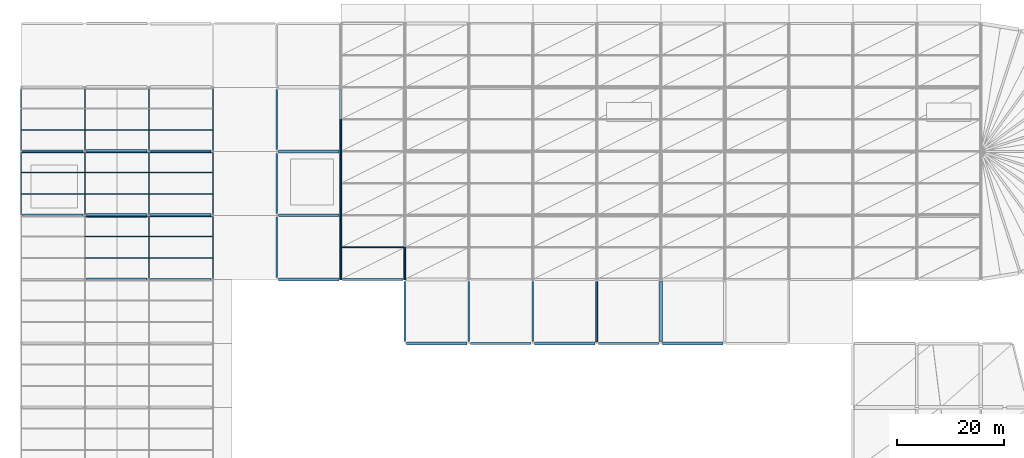
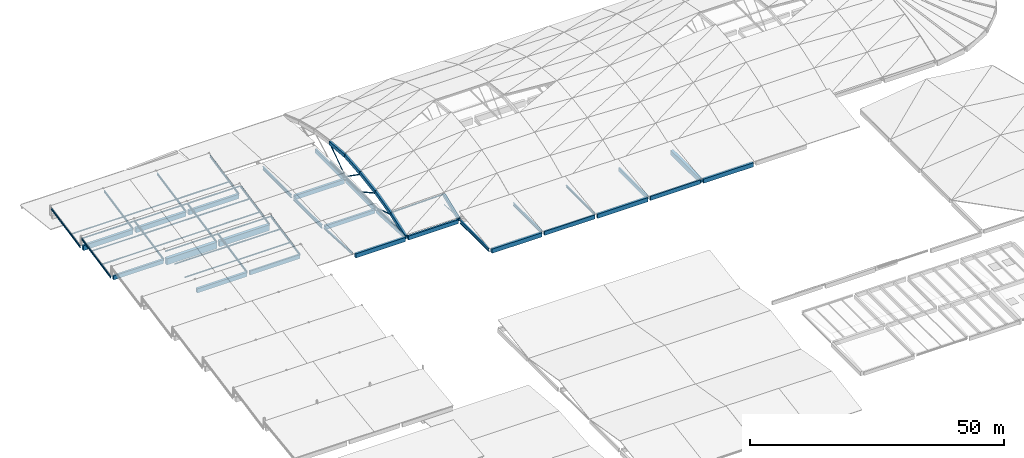
# One storey, part 9 of 23: 50 beams, 24 members.
"""IFC4 building model written with IfcOpenShell, lengths in metres."""

import ifcopenshell
import ifcopenshell.guid

model = None  # the IFC model being written
_history = None  # IfcOwnerHistory: only IFC2X3 demands one
_inside = {}  # id of a spatial element -> (the spatial element, [elements in it])
_under = {}  # id of a project, library or spatial element -> (it, [spatial elements below it])
_declared = {}  # id of a project -> (the project, [libraries it declares])
_typed = {}  # id of a type object -> (the type object, [elements of that type])
_made_of = {}  # id of a material, layer set ... -> (it, [elements and type objects made of it])


def new_model(schema):
    """Start an empty IFC model of exactly this schema.

    Asked for "IFC4X3", IfcOpenShell would pick the latest addendum, in which some entities
    have other attributes; the version numbers below select the first issue.
    IFC2X3 requires an IfcOwnerHistory on every rooted entity: one is made here for all.
    """
    global model, _history
    if schema == "IFC4X3":
        model = ifcopenshell.file(schema_version=(4, 3, 0, 0))
    else:
        model = ifcopenshell.file(schema=schema)
    _inside.clear()
    _under.clear()
    _declared.clear()
    _typed.clear()
    _made_of.clear()
    _history = None
    if model.schema == "IFC2X3":
        org = make("IfcOrganization", Name="unknown")
        user = make(
            "IfcPersonAndOrganization",
            ThePerson=make("IfcPerson", FamilyName="unknown"),
            TheOrganization=org,
        )
        app = make(
            "IfcApplication",
            ApplicationDeveloper=org,
            Version="unknown",
            ApplicationFullName="unknown",
            ApplicationIdentifier="unknown",
        )
        _history = make(
            "IfcOwnerHistory",
            OwningUser=user,
            OwningApplication=app,
            ChangeAction="ADDED",
            CreationDate=0,
        )
    return model


def make(cls, **values):
    """One entity of the class cls with the attributes given. An attribute that is None is left unset."""
    return model.create_entity(
        cls, **{name: value for name, value in values.items() if value is not None}
    )


def rooted(cls, **values):
    """An entity with a GlobalId (a new one), such as an element, a storey or a relation."""
    return make(cls, GlobalId=ifcopenshell.guid.new(), OwnerHistory=_history, **values)


def si_unit(unit_type, name, prefix=None):
    """IfcSIUnit, for example si_unit("LENGTHUNIT", "METRE", prefix="MILLI")."""
    return make("IfcSIUnit", UnitType=unit_type, Prefix=prefix, Name=name)


def assignment(units):
    """IfcUnitAssignment: the units of a project."""
    return None if units is None else make("IfcUnitAssignment", Units=units)


def point(xyz):
    """IfcCartesianPoint."""
    return None if xyz is None else make("IfcCartesianPoint", Coordinates=xyz)


def direction(xyz):
    """IfcDirection."""
    return None if xyz is None else make("IfcDirection", DirectionRatios=xyz)


def frame(location, z_axis=None, x_axis=None):
    """IfcAxis2Placement3D, a coordinate frame: its origin and axes. An axis left out is left unset."""
    return make(
        "IfcAxis2Placement3D",
        Location=point(location),
        Axis=direction(z_axis),
        RefDirection=direction(x_axis),
    )


def frame_2d(location, x_axis=None):
    """IfcAxis2Placement2D, a coordinate frame in the plane: its origin and x axis."""
    return make(
        "IfcAxis2Placement2D", Location=point(location), RefDirection=direction(x_axis)
    )


def origin():
    """The frame at (0, 0, 0) with its axes left unset."""
    return frame((0.0, 0.0, 0.0))


def origin_2d():
    """The frame at (0, 0) in the plane with its x axis left unset."""
    return frame_2d((0.0, 0.0))


def place(relative_to, where):
    """IfcLocalPlacement: puts the frame where relative to a parent placement (None: the world)."""
    return make(
        "IfcLocalPlacement", PlacementRelTo=relative_to, RelativePlacement=where
    )


def context(
    kind, dimensions, precision=None, world=None, true_north=None, identifier=None
):
    """IfcGeometricRepresentationContext, for example the 3D "Model" context."""
    return make(
        "IfcGeometricRepresentationContext",
        ContextIdentifier=identifier,
        ContextType=kind,
        CoordinateSpaceDimension=dimensions,
        Precision=precision,
        WorldCoordinateSystem=world,
        TrueNorth=true_north,
    )


def subcontext(parent, identifier, kind, view, scale=None):
    """IfcGeometricRepresentationSubContext, for example "Body" below "Model"."""
    return make(
        "IfcGeometricRepresentationSubContext",
        ContextIdentifier=identifier,
        ContextType=kind,
        ParentContext=parent,
        TargetScale=scale,
        TargetView=view,
    )


def project(units=None, contexts=None):
    """IfcProject with its units and contexts."""
    return rooted(
        "IfcProject",
        Name="project",
        RepresentationContexts=contexts,
        UnitsInContext=assignment(units),
    )


def spatial(cls, under=None, at=None, **own):
    """A site, building, storey or space (cls), placed at a placement, below another one or the project."""
    s = rooted(cls, ObjectPlacement=at, **own)
    if under is not None:
        _under.setdefault(under.id(), (under, []))[1].append(s)
    return s


def profile(cls, at=None, kind="AREA", **sizes):
    """A parametric profile (cls). Its sizes go by their IFC names, for example OverallWidth=200.0."""
    return make(cls, ProfileType=kind, Position=at, **sizes)


def rectangle(**sizes):
    """IfcRectangleProfileDef."""
    return profile("IfcRectangleProfileDef", **sizes)


def hollow_circle(**sizes):
    """IfcCircleHollowProfileDef."""
    return profile("IfcCircleHollowProfileDef", **sizes)


def i_section(**sizes):
    """IfcIShapeProfileDef."""
    return profile("IfcIShapeProfileDef", **sizes)


def extrude(swept, where, along, depth):
    """IfcExtrudedAreaSolid: the profile swept, set in the frame where, extruded along a direction by depth."""
    return make(
        "IfcExtrudedAreaSolid",
        SweptArea=swept,
        Position=where,
        ExtrudedDirection=direction(along),
        Depth=depth,
    )


def shape(context_of_items, identifier, shape_type, items):
    """IfcShapeRepresentation: the items that make up one representation, for example the "Body"."""
    return make(
        "IfcShapeRepresentation",
        ContextOfItems=context_of_items,
        RepresentationIdentifier=identifier,
        RepresentationType=shape_type,
        Items=items,
    )


def material(Name=None, Category=None):
    """IfcMaterial."""
    return make("IfcMaterial", Name=Name, Category=Category)


def material_profile(
    of_material, cross_section, Name=None, Category=None, Priority=None
):
    """IfcMaterialProfile: a cross section and its material."""
    return make(
        "IfcMaterialProfile",
        Name=Name,
        Material=of_material,
        Profile=cross_section,
        Priority=Priority,
        Category=Category,
    )


def profile_set(profiles, Name=None, composite=None):
    """IfcMaterialProfileSet."""
    return make(
        "IfcMaterialProfileSet",
        Name=Name,
        MaterialProfiles=profiles,
        CompositeProfile=composite,
    )


def made_of(thing, what):
    """Note that an element or type object is made of a material, layer set ...; save() writes the relation."""
    if what is not None:
        _made_of.setdefault(what.id(), (what, []))[1].append(thing)
    return thing


def type_object(cls, material=None, **own):
    """A type object (cls), such as IfcWallType, which elements share."""
    return made_of(rooted(cls, **own), material)


def element(
    cls,
    number,
    at=None,
    inside=None,
    cuts=None,
    type_object=None,
    material=None,
    context=None,
    identifier="Body",
    shape_type=None,
    held_by="IfcProductDefinitionShape",
    body=None,
    shapes=None,
    **own,
):
    """One element of the class cls, such as IfcWall. Its Tag is "e" and its number.

    at: its placement. inside: the storey or other place that contains it. cuts: it is an
    opening in that element (IfcRelVoidsElement). A single representation is given by context,
    identifier, shape_type and body (its items); several are given by shapes. held_by: the class
    of the entity that holds the representations. save() writes the other relations.
    """
    e = rooted(cls, Tag="e%d" % number, ObjectPlacement=at, **own)
    if body is not None:
        shapes = [shape(context, identifier, shape_type, body)]
    if shapes is not None:
        e.Representation = make(held_by, Representations=shapes)
    if inside is not None:
        _inside.setdefault(inside.id(), (inside, []))[1].append(e)
    if cuts is not None:
        rooted(
            "IfcRelVoidsElement", RelatingBuildingElement=cuts, RelatedOpeningElement=e
        )
    if type_object is not None:
        _typed.setdefault(type_object.id(), (type_object, []))[1].append(e)
    return made_of(e, material)


def aggregate(whole, parts):
    """IfcRelAggregates: a whole, such as a stair, and the parts it consists of."""
    return rooted("IfcRelAggregates", RelatingObject=whole, RelatedObjects=parts)


def save(model, path):
    """Write the relations noted so far, then the file.

    IfcRelAggregates (storeys below a building ...), IfcRelContainedInSpatialStructure (elements
    in a storey), IfcRelDefinesByType, IfcRelAssociatesMaterial and IfcRelDeclares: one each for
    every whole, place, type object, material and project.
    """
    for whole, parts in _under.values():
        aggregate(whole, parts)
    for where, things in _inside.values():
        rooted(
            "IfcRelContainedInSpatialStructure",
            RelatedElements=things,
            RelatingStructure=where,
        )
    for kind, things in _typed.values():
        rooted("IfcRelDefinesByType", RelatedObjects=things, RelatingType=kind)
    for what, things in _made_of.values():
        rooted("IfcRelAssociatesMaterial", RelatedObjects=things, RelatingMaterial=what)
    for by, libraries in _declared.values():
        rooted("IfcRelDeclares", RelatingContext=by, RelatedDefinitions=libraries)
    model.write(path)


model = new_model("IFC4")

# Units and contexts
model_context = context("Model", 3, precision=1e-05, world=origin(), true_north=direction((0.0, 1.0)))
body_context = subcontext(model_context, "Body", "Model", "MODEL_VIEW")
ifc_project = project(units=[si_unit("LENGTHUNIT", "METRE"), si_unit("AREAUNIT", "SQUARE_METRE"), si_unit("VOLUMEUNIT", "CUBIC_METRE"), si_unit("PLANEANGLEUNIT", "RADIAN"), si_unit("MASSUNIT", "GRAM", prefix="KILO")], contexts=[model_context])

# Site, building, storey
site_placement = place(None, origin())
site = spatial("IfcSite", under=ifc_project, at=site_placement, CompositionType="ELEMENT")
building_placement = place(site_placement, origin())
building = spatial("IfcBuilding", under=site, at=building_placement, Name="Kamomehara Wholesale Market", CompositionType="ELEMENT")
storey_placement = place(building_placement, frame((0.0, 0.0, 21.0)))
storey = spatial("IfcBuildingStorey", under=building, at=storey_placement, Name="RF", CompositionType="ELEMENT", Elevation=21.0)

# Beams
ifc_material_1 = material(Name="Precast concrete Fc45 (C40/50)", Category="concrete")
ifc_material_profile_1 = material_profile(ifc_material_1, rectangle(XDim=0.550048828125, YDim=1.050048828125, at=origin_2d()), Name="PC-GRD-550x1050")
ifc_profile_set_1 = profile_set([ifc_material_profile_1], Name="Precast concrete Fc45 (C40/50)")
beam_type_1 = type_object("IfcBeamType", Name="BM-PG1050", PredefinedType="T_BEAM", material=ifc_profile_set_1)
beam_1_placement = place(storey_placement, frame((48.360107421875, 132.0, -10.125), z_axis=(1.0, 0.0, 0.0), x_axis=(0.0, 1.0, 0.0)))
element("IfcBeam", 1, at=beam_1_placement, inside=storey, type_object=beam_type_1, Name="Beam PG-08 RF", PredefinedType="T_BEAM", context=body_context, shape_type="SweptSolid", body=[
    extrude(rectangle(XDim=0.550048828125, YDim=1.050048828125, at=origin_2d()), origin(), (0.0, 0.0, 1.0), 11.27978515625),
])
beam_2_placement = place(storey_placement, frame((24.340087890625, 132.0, -5.324951171875), z_axis=(1.0, 0.0, 0.0), x_axis=(0.0, 1.0, 0.0)))
element("IfcBeam", 2, at=beam_2_placement, inside=storey, type_object=beam_type_1, Name="Beam PG-08 RF", PredefinedType="T_BEAM", context=body_context, shape_type="SweptSolid", body=[
    extrude(rectangle(XDim=0.550048828125, YDim=1.050048828125, at=origin_2d()), origin(), (0.0, 0.0, 1.0), 11.31982421875),
])
ifc_material_2 = material(Name="Precast concrete Fc45 (C40/50)", Category="concrete")
ifc_material_profile_2 = material_profile(ifc_material_2, rectangle(XDim=0.60009765625, YDim=1.10009765625, at=origin_2d()), Name="PC-GRD-600x1100")
ifc_profile_set_2 = profile_set([ifc_material_profile_2], Name="Precast concrete Fc45 (C40/50)")
beam_type_2 = type_object("IfcBeamType", Name="BM-PG1100", PredefinedType="T_BEAM", material=ifc_profile_set_2)
beam_3_placement = place(storey_placement, frame((120.0, 96.31005859375, -9.550048828125), z_axis=(0.0, 1.0, 0.0), x_axis=(-1.0, 0.0, 0.0)))
element("IfcBeam", 3, at=beam_3_placement, inside=storey, type_object=beam_type_2, Name="Beam PG-07 RF", PredefinedType="T_BEAM", context=body_context, shape_type="SweptSolid", body=[
    extrude(rectangle(XDim=0.60009765625, YDim=1.10009765625, at=origin_2d()), origin(), (0.0, 0.0, 1.0), 11.239990234375),
])
beam_4_placement = place(storey_placement, frame((12.340087890625, 132.0, -5.35009765625), z_axis=(1.0, 0.0, 0.0), x_axis=(0.0, 1.0, 0.0)))
element("IfcBeam", 4, at=beam_4_placement, inside=storey, type_object=beam_type_2, Name="Beam PG-07 RF", PredefinedType="T_BEAM", context=body_context, shape_type="SweptSolid", body=[
    extrude(rectangle(XDim=0.60009765625, YDim=1.10009765625, at=origin_2d()), origin(), (0.0, 0.0, 1.0), 11.31982421875),
])
ifc_material_3 = material(Name="Precast concrete Fc45 (C40/50)", Category="concrete")
ifc_material_profile_3 = material_profile(ifc_material_3, rectangle(XDim=0.580078125, YDim=1.179931640625, at=origin_2d()), Name="PC-GRD-580x1180")
ifc_profile_set_3 = profile_set([ifc_material_profile_3], Name="Precast concrete Fc45 (C40/50)")
beam_type_3 = type_object("IfcBeamType", Name="BM-PG1180", PredefinedType="T_BEAM", material=ifc_profile_set_3)
beam_5_placement = place(storey_placement, frame((0.340087890625, 132.0, -5.389892578125), z_axis=(1.0, 0.0, 0.0), x_axis=(0.0, 1.0, 0.0)))
element("IfcBeam", 5, at=beam_5_placement, inside=storey, type_object=beam_type_3, Name="Beam PG-14 RF", PredefinedType="T_BEAM", context=body_context, shape_type="SweptSolid", body=[
    extrude(rectangle(XDim=0.580078125, YDim=1.179931640625, at=origin_2d()), origin(), (0.0, 0.0, 1.0), 11.31982421875),
])
ifc_material_4 = material(Name="Precast concrete Fc45 (C40/50)", Category="concrete")
ifc_material_profile_4 = material_profile(ifc_material_4, rectangle(XDim=0.679931640625, YDim=1.3798828125, at=origin_2d()), Name="PC-GRD-680x1380")
ifc_profile_set_4 = profile_set([ifc_material_profile_4], Name="Precast concrete Fc45 (C40/50)")
beam_type_4 = type_object("IfcBeamType", Name="BM-PG1380", PredefinedType="T_BEAM", material=ifc_profile_set_4)
beam_6_placement = place(storey_placement, frame((24.340087890625, 120.0, -5.489990234375), z_axis=(1.0, 0.0, 0.0), x_axis=(0.0, 1.0, 0.0)))
element("IfcBeam", 6, at=beam_6_placement, inside=storey, type_object=beam_type_4, Name="Beam PG-12 RF", PredefinedType="T_BEAM", context=body_context, shape_type="SweptSolid", body=[
    extrude(rectangle(XDim=0.679931640625, YDim=1.3798828125, at=origin_2d()), origin(), (0.0, 0.0, 1.0), 11.31982421875),
])
ifc_material_5 = material(Name="Precast concrete Fc45 (C40/50)", Category="concrete")
ifc_material_profile_5 = material_profile(ifc_material_5, rectangle(XDim=0.75, YDim=1.5, at=origin_2d()), Name="PC-GRD-750x1500")
ifc_profile_set_5 = profile_set([ifc_material_profile_5], Name="Precast concrete Fc45 (C40/50)")
beam_type_5 = type_object("IfcBeamType", Name="BM-PG1500", PredefinedType="T_BEAM", material=ifc_profile_set_5)
beam_7_placement = place(storey_placement, frame((12.340087890625, 120.0, -5.550048828125), z_axis=(1.0, 0.0, 0.0), x_axis=(0.0, 1.0, 0.0)))
element("IfcBeam", 7, at=beam_7_placement, inside=storey, type_object=beam_type_5, Name="Beam PG-01 RF", PredefinedType="T_BEAM", context=body_context, shape_type="SweptSolid", body=[
    extrude(rectangle(XDim=0.75, YDim=1.5, at=origin_2d()), origin(), (0.0, 0.0, 1.0), 11.31982421875),
])
ifc_material_6 = material(Name="Precast concrete Fc45 (C40/50)", Category="concrete")
ifc_material_profile_6 = material_profile(ifc_material_6, rectangle(XDim=0.47998046875, YDim=0.949951171875, at=origin_2d()), Name="PC-GRD-480x950")
ifc_profile_set_6 = profile_set([ifc_material_profile_6], Name="Precast concrete Fc45 (C40/50)")
beam_type_6 = type_object("IfcBeamType", Name="BM-PG950", PredefinedType="T_BEAM", material=ifc_profile_set_6)
beam_8_placement = place(storey_placement, frame((48.360107421875, 120.0, -10.074951171875), z_axis=(1.0, 0.0, 0.0), x_axis=(0.0, 1.0, 0.0)))
element("IfcBeam", 8, at=beam_8_placement, inside=storey, type_object=beam_type_6, Name="Beam PG-16 RF", PredefinedType="T_BEAM", context=body_context, shape_type="SweptSolid", body=[
    extrude(rectangle(XDim=0.47998046875, YDim=0.949951171875, at=origin_2d()), origin(), (0.0, 0.0, 1.0), 11.27978515625),
])
beam_9_placement = place(storey_placement, frame((0.340087890625, 120.0, -5.27490234375), z_axis=(1.0, 0.0, 0.0), x_axis=(0.0, 1.0, 0.0)))
element("IfcBeam", 9, at=beam_9_placement, inside=storey, type_object=beam_type_6, Name="Beam PG-16 RF", PredefinedType="T_BEAM", context=body_context, shape_type="SweptSolid", body=[
    extrude(rectangle(XDim=0.47998046875, YDim=0.949951171875, at=origin_2d()), origin(), (0.0, 0.0, 1.0), 11.31982421875),
])
ifc_material_7 = material(Name="Concrete Fc36 (C35/45)", Category="concrete")
ifc_material_profile_7 = material_profile(ifc_material_7, rectangle(XDim=0.449951171875, YDim=0.800048828125, at=origin_2d()), Name="RC-RIB-450x800")
ifc_profile_set_7 = profile_set([ifc_material_profile_7], Name="Concrete Fc36 (C35/45)")
beam_type_7 = type_object("IfcBeamType", Name="BM-RIB800", PredefinedType="BEAM", material=ifc_profile_set_7)
beam_10_placement = place(storey_placement, frame((72.0, 108.0, -9.27001953125), z_axis=(0.0, 0.930388439459, 0.366575165173), x_axis=(-1.0, 0.0, 0.0)))
element("IfcBeam", 10, at=beam_10_placement, inside=storey, type_object=beam_type_7, Name="Shell arch rib V1 9", PredefinedType="BEAM", context=body_context, shape_type="SweptSolid", body=[
    extrude(rectangle(XDim=0.449951171875, YDim=0.800048828125, at=origin_2d()), origin(), (0.0, 0.0, 1.0), 6.448974609375),
])
ifc_material_8 = material(Name="Concrete Fc36 (C35/45)", Category="concrete")
ifc_material_profile_8 = material_profile(ifc_material_8, rectangle(XDim=0.5, YDim=0.85009765625, at=origin_2d()), Name="RC-RIB-500x850")
ifc_profile_set_8 = profile_set([ifc_material_profile_8], Name="Concrete Fc36 (C35/45)")
beam_type_8 = type_object("IfcBeamType", Name="BM-RIB850", PredefinedType="BEAM", material=ifc_profile_set_8)
beam_11_placement = place(storey_placement, frame((60.0, 108.0, -9.294921875), z_axis=(0.0, 0.942784060421, 0.333403982305), x_axis=(-1.0, 0.0, 0.0)))
element("IfcBeam", 11, at=beam_11_placement, inside=storey, type_object=beam_type_8, Name="Shell arch rib V1 1", PredefinedType="BEAM", context=body_context, shape_type="SweptSolid", body=[
    extrude(rectangle(XDim=0.5, YDim=0.85009765625, at=origin_2d()), origin(), (0.0, 0.0, 1.0), 6.364013671875),
])
beam_12_placement = place(storey_placement, frame((60.0, 114.0, -7.173095703125), z_axis=(0.0, 0.969564238465, 0.244837063147), x_axis=(-1.0, 0.0, 0.0)))
element("IfcBeam", 12, at=beam_12_placement, inside=storey, type_object=beam_type_8, Name="Shell arch rib V1 2", PredefinedType="BEAM", context=body_context, shape_type="SweptSolid", body=[
    extrude(rectangle(XDim=0.5, YDim=0.85009765625, at=origin_2d()), origin(), (0.0, 0.0, 1.0), 6.188232421875),
])
beam_13_placement = place(storey_placement, frame((60.0, 120.0, -5.657958984375), z_axis=(0.0, 0.988695452542, 0.149937660792), x_axis=(-1.0, 0.0, 0.0)))
element("IfcBeam", 13, at=beam_13_placement, inside=storey, type_object=beam_type_8, Name="Shell arch rib V1 3", PredefinedType="BEAM", context=body_context, shape_type="SweptSolid", body=[
    extrude(rectangle(XDim=0.5, YDim=0.85009765625, at=origin_2d()), origin(), (0.0, 0.0, 1.0), 6.068603515625),
])
for number, where, z_axis, x_axis, name in (
    (14, (60.0, 126.0, -4.748046875), (0.0, 0.99577984843, 0.091774143746), (-1.0, 0.0, 0.0), "Shell arch rib V1 4"),
    (15, (60.0, 132.0, -4.195068359375), (0.0, 0.99577984843, -0.091774143746), (-1.0, 0.0, 0.0), "Shell arch rib V1 5"),
):
    element("IfcBeam", number, at=place(storey_placement, frame(where, z_axis=z_axis, x_axis=x_axis)), inside=storey, type_object=beam_type_8, Name=name, PredefinedType="BEAM", context=body_context, shape_type="SweptSolid", body=[
        extrude(rectangle(XDim=0.5, YDim=0.85009765625, at=origin_2d()), origin(), (0.0, 0.0, 1.0), 6.025390625),
    ])
ifc_material_9 = material(Name="Concrete Fc36 (C35/45)", Category="concrete")
ifc_material_profile_9 = material_profile(ifc_material_9, rectangle(XDim=0.550048828125, YDim=1.0, at=origin_2d()), Name="RC-SEB-550x1000")
ifc_profile_set_9 = profile_set([ifc_material_profile_9], Name="Concrete Fc36 (C35/45)")
beam_type_9 = type_object("IfcBeamType", Name="BM-SEB1000-EXT", PredefinedType="SPANDREL", material=ifc_profile_set_9)
for number, where, z_axis, x_axis, name in (
    (16, (72.31005859375, 96.0, -9.5), (1.0, 0.0, 0.0), (0.0, 1.0, 0.0), "Beam SEB-03E RF"),
    (17, (96.31005859375, 96.0, -9.5), (1.0, 0.0, 0.0), (0.0, 1.0, 0.0), "Beam SEB-03E RF"),
    (18, (120.31005859375, 96.0, -9.5), (1.0, 0.0, 0.0), (0.0, 1.0, 0.0), "Beam SEB-03E RF"),
):
    element("IfcBeam", number, at=place(storey_placement, frame(where, z_axis=z_axis, x_axis=x_axis)), inside=storey, type_object=beam_type_9, Name=name, PredefinedType="SPANDREL", context=body_context, shape_type="SweptSolid", body=[
        extrude(rectangle(XDim=0.550048828125, YDim=1.0, at=origin_2d()), origin(), (0.0, 0.0, 1.0), 11.3798828125),
    ])
beam_14_placement = place(storey_placement, frame((48.360107421875, 108.0, -9.5), z_axis=(1.0, 0.0, 0.0), x_axis=(0.0, 1.0, 0.0)))
element("IfcBeam", 19, at=beam_14_placement, inside=storey, type_object=beam_type_9, Name="Beam SEB-03E RF", PredefinedType="SPANDREL", context=body_context, shape_type="SweptSolid", body=[
    extrude(rectangle(XDim=0.550048828125, YDim=1.0, at=origin_2d()), origin(), (0.0, 0.0, 1.0), 11.27978515625),
])
beam_15_placement = place(storey_placement, frame((12.340087890625, 108.0, -5.300048828125), z_axis=(1.0, 0.0, 0.0), x_axis=(0.0, 1.0, 0.0)))
element("IfcBeam", 20, at=beam_15_placement, inside=storey, type_object=beam_type_9, Name="Beam SEB-03E RF", PredefinedType="SPANDREL", context=body_context, shape_type="SweptSolid", body=[
    extrude(rectangle(XDim=0.550048828125, YDim=1.0, at=origin_2d()), origin(), (0.0, 0.0, 1.0), 11.31982421875),
])
ifc_material_10 = material(Name="Precast concrete Fc45 (C40/50)", Category="concrete")
ifc_material_profile_10 = material_profile(ifc_material_10, rectangle(XDim=0.35009765625, YDim=0.85009765625, at=origin_2d()), Name="PC-SPN-350x850")
ifc_profile_set_10 = profile_set([ifc_material_profile_10], Name="Precast concrete Fc45 (C40/50)")
beam_type_10 = type_object("IfcBeamType", Name="BM-SPN850-EXT", PredefinedType="SPANDREL", material=ifc_profile_set_10)
beam_16_placement = place(storey_placement, frame((108.0, 96.31005859375, -9.425048828125), z_axis=(0.0, 1.0, 0.0), x_axis=(-1.0, 0.0, 0.0)))
element("IfcBeam", 21, at=beam_16_placement, inside=storey, type_object=beam_type_10, Name="Beam SPN-02E RF", PredefinedType="SPANDREL", context=body_context, shape_type="SweptSolid", body=[
    extrude(rectangle(XDim=0.35009765625, YDim=0.85009765625, at=origin_2d()), origin(), (0.0, 0.0, 1.0), 11.239990234375),
])
beam_17_placement = place(storey_placement, frame((60.0, 108.360107421875, -9.424072265625), z_axis=(0.0, 0.998588961709, -0.053104477705), x_axis=(-1.0, 0.0, 0.0)))
element("IfcBeam", 22, at=beam_17_placement, inside=storey, type_object=beam_type_10, Name="Beam SPN-02E RF", PredefinedType="SPANDREL", context=body_context, shape_type="SweptSolid", body=[
    extrude(rectangle(XDim=0.35009765625, YDim=0.85009765625, at=origin_2d()), origin(), (0.0, 0.0, 1.0), 11.295654296875),
])
beam_18_placement = place(storey_placement, frame((60.0, 120.360107421875, -10.02490234375), z_axis=(0.0, 1.0, 0.0), x_axis=(-1.0, 0.0, 0.0)))
element("IfcBeam", 23, at=beam_18_placement, inside=storey, type_object=beam_type_10, Name="Beam SPN-02E RF", PredefinedType="SPANDREL", context=body_context, shape_type="SweptSolid", body=[
    extrude(rectangle(XDim=0.35009765625, YDim=0.85009765625, at=origin_2d()), origin(), (0.0, 0.0, 1.0), 11.27978515625),
])
ifc_material_11 = material(Name="Precast concrete Fc45 (C40/50)", Category="concrete")
ifc_material_profile_11 = material_profile(ifc_material_11, rectangle(XDim=0.39990234375, YDim=0.949951171875, at=origin_2d()), Name="PC-SPN-400x950")
ifc_profile_set_11 = profile_set([ifc_material_profile_11], Name="Precast concrete Fc45 (C40/50)")
beam_type_11 = type_object("IfcBeamType", Name="BM-SPN950-EXT", PredefinedType="SPANDREL", material=ifc_profile_set_11)
for number, where, z_axis, x_axis, name in (
    (24, (84.31005859375, 96.0, -9.47509765625), (1.0, 0.0, 0.0), (0.0, 1.0, 0.0), "Beam SPN-01E RF"),
    (25, (108.31005859375, 96.0, -9.47509765625), (1.0, 0.0, 0.0), (0.0, 1.0, 0.0), "Beam SPN-01E RF"),
):
    element("IfcBeam", number, at=place(storey_placement, frame(where, z_axis=z_axis, x_axis=x_axis)), inside=storey, type_object=beam_type_11, Name=name, PredefinedType="SPANDREL", context=body_context, shape_type="SweptSolid", body=[
        extrude(rectangle(XDim=0.39990234375, YDim=0.949951171875, at=origin_2d()), origin(), (0.0, 0.0, 1.0), 11.3798828125),
    ])
beam_19_placement = place(storey_placement, frame((60.360107421875, 108.0, -9.47509765625), z_axis=(1.0, 0.0, 0.0), x_axis=(0.0, 1.0, 0.0)))
element("IfcBeam", 26, at=beam_19_placement, inside=storey, type_object=beam_type_11, Name="Beam SPN-01E RF", PredefinedType="SPANDREL", context=body_context, shape_type="SweptSolid", body=[
    extrude(rectangle(XDim=0.39990234375, YDim=0.949951171875, at=origin_2d()), origin(), (0.0, 0.0, 1.0), 11.31494140625),
])
beam_20_placement = place(storey_placement, frame((60.0, 132.360107421875, -10.074951171875), z_axis=(0.0, 1.0, 0.0), x_axis=(-1.0, 0.0, 0.0)))
element("IfcBeam", 27, at=beam_20_placement, inside=storey, type_object=beam_type_11, Name="Beam SPN-01E RF", PredefinedType="SPANDREL", context=body_context, shape_type="SweptSolid", body=[
    extrude(rectangle(XDim=0.39990234375, YDim=0.949951171875, at=origin_2d()), origin(), (0.0, 0.0, 1.0), 11.27978515625),
])
beam_21_placement = place(storey_placement, frame((24.340087890625, 108.0, -5.27490234375), z_axis=(1.0, 0.0, 0.0), x_axis=(0.0, 1.0, 0.0)))
element("IfcBeam", 28, at=beam_21_placement, inside=storey, type_object=beam_type_11, Name="Beam SPN-01E RF", PredefinedType="SPANDREL", context=body_context, shape_type="SweptSolid", body=[
    extrude(rectangle(XDim=0.39990234375, YDim=0.949951171875, at=origin_2d()), origin(), (0.0, 0.0, 1.0), 11.31982421875),
])
ifc_material_12 = material(Name="Steel SN400B", Category="steel")
ifc_material_profile_12 = material_profile(ifc_material_12, i_section(OverallWidth=0.14990234375, OverallDepth=0.300048828125, WebThickness=0.006591796875, FlangeThickness=0.009033203125, FilletRadius=0.012939453125, at=origin_2d()), Name="H-300x150x6.5x9")
ifc_profile_set_12 = profile_set([ifc_material_profile_12], Name="Steel SN400B")
beam_type_12 = type_object("IfcBeamType", Name="BM-ST-H300", PredefinedType="JOIST", material=ifc_profile_set_12)
beam_22_placement = place(storey_placement, frame((60.0, 114.0, -6.93798828125), z_axis=(0.9997968099, 0.0, 0.020157849907), x_axis=(0.0, 1.0, 0.0)))
element("IfcBeam", 29, at=beam_22_placement, inside=storey, type_object=beam_type_12, Name="Shell longitudinal purlin V1 1", PredefinedType="JOIST", context=body_context, shape_type="SweptSolid", body=[
    extrude(i_section(OverallWidth=0.14990234375, OverallDepth=0.300048828125, WebThickness=0.006591796875, FlangeThickness=0.009033203125, FilletRadius=0.012939453125, at=origin_2d()), origin(), (0.0, 0.0, 1.0), 12.00244140625),
])
beam_23_placement = place(storey_placement, frame((12.02001953125, 119.77001953125, -2.9599609375), z_axis=(1.0, 0.0, 0.0), x_axis=(0.0, 1.0, 0.0)))
element("IfcBeam", 30, at=beam_23_placement, inside=storey, type_object=beam_type_12, Name="Monitor steel ridge beam V3 6.2", PredefinedType="JOIST", context=body_context, shape_type="SweptSolid", body=[
    extrude(i_section(OverallWidth=0.14990234375, OverallDepth=0.300048828125, WebThickness=0.006591796875, FlangeThickness=0.009033203125, FilletRadius=0.012939453125, at=origin_2d()), origin(), (0.0, 0.0, 1.0), 11.9599609375),
])
for number, where, z_axis, x_axis, name in (
    (31, (24.02001953125, 119.77001953125, -2.9599609375), (1.0, 0.0, 0.0), (0.0, 1.0, 0.0), "Monitor steel ridge beam V3 6.3"),
    (32, (0.0, 131.77001953125, -2.9599609375), (1.0, 0.0, 0.0), (0.0, 1.0, 0.0), "Monitor steel ridge beam V3 7.1"),
):
    element("IfcBeam", number, at=place(storey_placement, frame(where, z_axis=z_axis, x_axis=x_axis)), inside=storey, type_object=beam_type_12, Name=name, PredefinedType="JOIST", context=body_context, shape_type="SweptSolid", body=[
        extrude(i_section(OverallWidth=0.14990234375, OverallDepth=0.300048828125, WebThickness=0.006591796875, FlangeThickness=0.009033203125, FilletRadius=0.012939453125, at=origin_2d()), origin(), (0.0, 0.0, 1.0), 11.97998046875),
    ])
beam_24_placement = place(storey_placement, frame((12.02001953125, 131.77001953125, -2.9599609375), z_axis=(1.0, 0.0, 0.0), x_axis=(0.0, 1.0, 0.0)))
element("IfcBeam", 33, at=beam_24_placement, inside=storey, type_object=beam_type_12, Name="Monitor steel ridge beam V3 7.2", PredefinedType="JOIST", context=body_context, shape_type="SweptSolid", body=[
    extrude(i_section(OverallWidth=0.14990234375, OverallDepth=0.300048828125, WebThickness=0.006591796875, FlangeThickness=0.009033203125, FilletRadius=0.012939453125, at=origin_2d()), origin(), (0.0, 0.0, 1.0), 11.9599609375),
])
beam_25_placement = place(storey_placement, frame((24.02001953125, 131.77001953125, -2.9599609375), z_axis=(1.0, 0.0, 0.0), x_axis=(0.0, 1.0, 0.0)))
element("IfcBeam", 34, at=beam_25_placement, inside=storey, type_object=beam_type_12, Name="Monitor steel ridge beam V3 7.3", PredefinedType="JOIST", context=body_context, shape_type="SweptSolid", body=[
    extrude(i_section(OverallWidth=0.14990234375, OverallDepth=0.300048828125, WebThickness=0.006591796875, FlangeThickness=0.009033203125, FilletRadius=0.012939453125, at=origin_2d()), origin(), (0.0, 0.0, 1.0), 11.97998046875),
])
ifc_material_13 = material(Name="Steel SN490B", Category="steel")
ifc_material_profile_13 = material_profile(ifc_material_13, i_section(OverallWidth=0.300048828125, OverallDepth=0.43994140625, WebThickness=0.010986328125, FlangeThickness=0.01806640625, FilletRadius=0.01806640625, at=origin_2d()), Name="H-440x300x11x18")
ifc_profile_set_13 = profile_set([ifc_material_profile_13], Name="Steel SN490B")
beam_type_13 = type_object("IfcBeamType", Name="BM-ST-H440", PredefinedType="BEAM", material=ifc_profile_set_13)
beam_26_placement = place(storey_placement, frame((96.0, 96.31005859375, -9.219970703125), z_axis=(0.0, 1.0, 0.0), x_axis=(-1.0, 0.0, 0.0)))
element("IfcBeam", 35, at=beam_26_placement, inside=storey, type_object=beam_type_13, Name="Beam SG-11 RF", PredefinedType="BEAM", context=body_context, shape_type="SweptSolid", body=[
    extrude(i_section(OverallWidth=0.300048828125, OverallDepth=0.43994140625, WebThickness=0.010986328125, FlangeThickness=0.01806640625, FilletRadius=0.01806640625, at=origin_2d()), origin(), (0.0, 0.0, 1.0), 11.239990234375),
])
beam_27_placement = place(storey_placement, frame((48.0, 108.360107421875, -9.219970703125), z_axis=(0.0, 0.998587815322, -0.05312603026), x_axis=(-1.0, 0.0, 0.0)))
element("IfcBeam", 36, at=beam_27_placement, inside=storey, type_object=beam_type_13, Name="Beam SG-11 RF", PredefinedType="BEAM", context=body_context, shape_type="SweptSolid", body=[
    extrude(i_section(OverallWidth=0.300048828125, OverallDepth=0.43994140625, WebThickness=0.010986328125, FlangeThickness=0.01806640625, FilletRadius=0.01806640625, at=origin_2d()), origin(), (0.0, 0.0, 1.0), 11.295654296875),
])
ifc_material_14 = material(Name="Steel SN490B", Category="steel")
ifc_material_profile_14 = material_profile(ifc_material_14, i_section(OverallWidth=0.199951171875, OverallDepth=0.5, WebThickness=0.010009765625, FlangeThickness=0.01611328125, FilletRadius=0.012939453125, at=origin_2d()), Name="H-500x200x10x16")
ifc_profile_set_14 = profile_set([ifc_material_profile_14], Name="Steel SN490B")
beam_type_14 = type_object("IfcBeamType", Name="BM-ST-H500", PredefinedType="BEAM", material=ifc_profile_set_14)
for number, where, z_axis, x_axis, name in (
    (37, (24.0, 108.199951171875, -5.260009765625), (0.0, 0.980514052437, 0.19644895768), (-1.0, 0.0, 0.0), "Monitor steel rafter V3 6.24"),
    (38, (36.0, 108.199951171875, -5.260009765625), (0.0, 0.980514052437, 0.19644895768), (-1.0, 0.0, 0.0), "Monitor steel rafter V3 6.36"),
    (39, (0.0, 120.199951171875, -5.260009765625), (0.0, 0.980514052437, 0.19644895768), (-1.0, 0.0, 0.0), "Monitor steel rafter V3 7.0"),
    (40, (12.0, 120.199951171875, -5.260009765625), (0.0, 0.980514052437, 0.19644895768), (-1.0, 0.0, 0.0), "Monitor steel rafter V3 7.12"),
    (41, (24.0, 120.199951171875, -5.260009765625), (0.0, 0.980514052437, 0.19644895768), (-1.0, 0.0, 0.0), "Monitor steel rafter V3 7.24"),
    (42, (36.0, 120.199951171875, -5.260009765625), (0.0, 0.980514052437, 0.19644895768), (-1.0, 0.0, 0.0), "Monitor steel rafter V3 7.36"),
    (43, (0.0, 132.199951171875, -5.260009765625), (0.0, 0.980514052437, 0.19644895768), (-1.0, 0.0, 0.0), "Monitor steel rafter V3 8.0"),
    (44, (12.0, 132.199951171875, -5.260009765625), (0.0, 0.980514052437, 0.19644895768), (-1.0, 0.0, 0.0), "Monitor steel rafter V3 8.12"),
    (45, (24.0, 132.199951171875, -5.260009765625), (0.0, 0.980514052437, 0.19644895768), (-1.0, 0.0, 0.0), "Monitor steel rafter V3 8.24"),
    (46, (36.0, 132.199951171875, -5.260009765625), (0.0, 0.980514052437, 0.19644895768), (-1.0, 0.0, 0.0), "Monitor steel rafter V3 8.36"),
):
    element("IfcBeam", number, at=place(storey_placement, frame(where, z_axis=z_axis, x_axis=x_axis)), inside=storey, type_object=beam_type_14, Name=name, PredefinedType="BEAM", context=body_context, shape_type="SweptSolid", body=[
        extrude(i_section(OverallWidth=0.199951171875, OverallDepth=0.5, WebThickness=0.010009765625, FlangeThickness=0.01611328125, FilletRadius=0.012939453125, at=origin_2d()), origin(), (0.0, 0.0, 1.0), 11.7080078125),
    ])
ifc_material_15 = material(Name="Steel SN490B", Category="steel")
ifc_material_profile_15 = material_profile(ifc_material_15, i_section(OverallWidth=0.300048828125, OverallDepth=0.699951171875, WebThickness=0.012939453125, FlangeThickness=0.02392578125, FilletRadius=0.02197265625, at=origin_2d()), Name="H-700x300x13x24")
ifc_profile_set_15 = profile_set([ifc_material_profile_15], Name="Steel SN490B")
beam_type_15 = type_object("IfcBeamType", Name="BM-ST-H700", PredefinedType="BEAM", material=ifc_profile_set_15)
beam_28_placement = place(storey_placement, frame((84.0, 96.31005859375, -9.35009765625), z_axis=(0.0, 1.0, 0.0), x_axis=(-1.0, 0.0, 0.0)))
element("IfcBeam", 47, at=beam_28_placement, inside=storey, type_object=beam_type_15, Name="Beam SG-03 RF", PredefinedType="BEAM", context=body_context, shape_type="SweptSolid", body=[
    extrude(i_section(OverallWidth=0.300048828125, OverallDepth=0.699951171875, WebThickness=0.012939453125, FlangeThickness=0.02392578125, FilletRadius=0.02197265625, at=origin_2d()), origin(), (0.0, 0.0, 1.0), 11.239990234375),
])
ifc_material_16 = material(Name="Steel SN490B", Category="steel")
ifc_material_profile_16 = material_profile(ifc_material_16, i_section(OverallWidth=0.300048828125, OverallDepth=0.7919921875, WebThickness=0.013916015625, FlangeThickness=0.02197265625, FilletRadius=0.02392578125, at=origin_2d()), Name="H-792x300x14x22")
ifc_profile_set_16 = profile_set([ifc_material_profile_16], Name="Steel SN490B")
beam_type_16 = type_object("IfcBeamType", Name="BM-ST-H792", PredefinedType="BEAM", material=ifc_profile_set_16)
beam_29_placement = place(storey_placement, frame((48.0, 120.360107421875, -9.99609375), z_axis=(0.0, 1.0, 0.0), x_axis=(-1.0, 0.0, 0.0)))
element("IfcBeam", 48, at=beam_29_placement, inside=storey, type_object=beam_type_16, Name="Beam SG-09 RF", PredefinedType="BEAM", context=body_context, shape_type="SweptSolid", body=[
    extrude(i_section(OverallWidth=0.300048828125, OverallDepth=0.7919921875, WebThickness=0.013916015625, FlangeThickness=0.02197265625, FilletRadius=0.02392578125, at=origin_2d()), origin(), (0.0, 0.0, 1.0), 11.27978515625),
])
ifc_material_17 = material(Name="Steel SN490B", Category="steel")
ifc_material_profile_17 = material_profile(ifc_material_17, i_section(OverallWidth=0.300048828125, OverallDepth=0.800048828125, WebThickness=0.013916015625, FlangeThickness=0.02587890625, FilletRadius=0.02392578125, at=origin_2d()), Name="H-800x300x14x26")
ifc_profile_set_17 = profile_set([ifc_material_profile_17], Name="Steel SN490B")
beam_type_17 = type_object("IfcBeamType", Name="BM-ST-H800", PredefinedType="BEAM", material=ifc_profile_set_17)
beam_30_placement = place(storey_placement, frame((72.0, 96.31005859375, -9.39990234375), z_axis=(0.0, 1.0, 0.0), x_axis=(-1.0, 0.0, 0.0)))
element("IfcBeam", 49, at=beam_30_placement, inside=storey, type_object=beam_type_17, Name="Beam SG-02 RF", PredefinedType="BEAM", context=body_context, shape_type="SweptSolid", body=[
    extrude(i_section(OverallWidth=0.300048828125, OverallDepth=0.800048828125, WebThickness=0.013916015625, FlangeThickness=0.02587890625, FilletRadius=0.02392578125, at=origin_2d()), origin(), (0.0, 0.0, 1.0), 11.239990234375),
])
beam_31_placement = place(storey_placement, frame((48.0, 132.360107421875, -10.0), z_axis=(0.0, 1.0, 0.0), x_axis=(-1.0, 0.0, 0.0)))
element("IfcBeam", 50, at=beam_31_placement, inside=storey, type_object=beam_type_17, Name="Beam SG-02 RF", PredefinedType="BEAM", context=body_context, shape_type="SweptSolid", body=[
    extrude(i_section(OverallWidth=0.300048828125, OverallDepth=0.800048828125, WebThickness=0.013916015625, FlangeThickness=0.02587890625, FilletRadius=0.02392578125, at=origin_2d()), origin(), (0.0, 0.0, 1.0), 11.27978515625),
])

# Members
ifc_material_18 = material(Name="Steel SN400B", Category="steel")
ifc_material_profile_18 = material_profile(ifc_material_18, hollow_circle(Radius=0.06982421875, WallThickness=0.006591796875, at=origin_2d()), Name="CHS-139.8x6.6")
ifc_profile_set_18 = profile_set([ifc_material_profile_18], Name="Steel SN400B")
member_type_1 = type_object("IfcMemberType", Name="MEM-BR-CHS139", PredefinedType="BRACE", material=ifc_profile_set_18)
member_1_placement = place(storey_placement, frame((60.0, 132.0, -9.25), z_axis=(0.0, 0.819109767742, 0.573636808781), x_axis=(-1.0, 0.0, 0.0)))
element("IfcMember", 51, at=member_1_placement, inside=storey, type_object=member_type_1, Name="Arch truss diagonal B V1 5", PredefinedType="BRACE", context=body_context, shape_type="SweptSolid", body=[
    extrude(hollow_circle(Radius=0.06982421875, WallThickness=0.006591796875, at=origin_2d()), origin(), (0.0, 0.0, 1.0), 7.324951171875),
])
ifc_material_19 = material(Name="Steel SN490B", Category="steel")
ifc_material_profile_19 = material_profile(ifc_material_19, hollow_circle(Radius=0.08251953125, WallThickness=0.007080078125, at=origin_2d()), Name="CHS-165.2x7.1")
ifc_profile_set_19 = profile_set([ifc_material_profile_19], Name="Steel SN490B")
member_type_2 = type_object("IfcMemberType", Name="MEM-BR-CHS165", PredefinedType="BRACE", material=ifc_profile_set_19)
member_2_placement = place(storey_placement, frame((60.0, 114.0, -9.25), z_axis=(0.0, -0.997786235602, 0.066502842363), x_axis=(1.0, 0.0, 0.0)))
element("IfcMember", 52, at=member_2_placement, inside=storey, type_object=member_type_2, Name="Arch truss diagonal A V1 1", PredefinedType="BRACE", context=body_context, shape_type="SweptSolid", body=[
    extrude(hollow_circle(Radius=0.08251953125, WallThickness=0.007080078125, at=origin_2d()), origin(), (0.0, 0.0, 1.0), 6.013427734375),
])
member_3_placement = place(storey_placement, frame((60.0, 119.550048828125, -9.25), z_axis=(0.0, -0.952370138594, 0.304944452506), x_axis=(1.0, 0.0, 0.0)))
element("IfcMember", 53, at=member_3_placement, inside=storey, type_object=member_type_2, Name="Arch truss diagonal A V1 2", PredefinedType="BRACE", context=body_context, shape_type="SweptSolid", body=[
    extrude(hollow_circle(Radius=0.08251953125, WallThickness=0.007080078125, at=origin_2d()), origin(), (0.0, 0.0, 1.0), 5.82763671875),
])
member_4_placement = place(storey_placement, frame((60.0, 126.0, -9.25), z_axis=(0.0, -0.876709535058, 0.481020156686), x_axis=(1.0, 0.0, 0.0)))
element("IfcMember", 54, at=member_4_placement, inside=storey, type_object=member_type_2, Name="Arch truss diagonal A V1 3", PredefinedType="BRACE", context=body_context, shape_type="SweptSolid", body=[
    extrude(hollow_circle(Radius=0.08251953125, WallThickness=0.007080078125, at=origin_2d()), origin(), (0.0, 0.0, 1.0), 6.84375),
])
member_5_placement = place(storey_placement, frame((60.0, 132.0, -9.25), z_axis=(0.0, -0.819109767742, 0.573636808781), x_axis=(1.0, 0.0, 0.0)))
element("IfcMember", 55, at=member_5_placement, inside=storey, type_object=member_type_2, Name="Arch truss diagonal A V1 4", PredefinedType="BRACE", context=body_context, shape_type="SweptSolid", body=[
    extrude(hollow_circle(Radius=0.08251953125, WallThickness=0.007080078125, at=origin_2d()), origin(), (0.0, 0.0, 1.0), 7.324951171875),
])
member_6_placement = place(storey_placement, frame((72.0, 114.0, -9.25), z_axis=(0.0, -0.997786235602, 0.066502842363), x_axis=(1.0, 0.0, 0.0)))
element("IfcMember", 56, at=member_6_placement, inside=storey, type_object=member_type_2, Name="Arch truss diagonal A V1 9", PredefinedType="BRACE", context=body_context, shape_type="SweptSolid", body=[
    extrude(hollow_circle(Radius=0.08251953125, WallThickness=0.007080078125, at=origin_2d()), origin(), (0.0, 0.0, 1.0), 6.013427734375),
])
ifc_material_20 = material(Name="Steel SN490B", Category="steel")
ifc_material_profile_20 = material_profile(ifc_material_20, i_section(OverallWidth=0.199951171875, OverallDepth=0.39990234375, WebThickness=0.008056640625, FlangeThickness=0.012939453125, FilletRadius=0.012939453125, at=origin_2d()), Name="H-400x200x8x13")
ifc_profile_set_20 = profile_set([ifc_material_profile_20], Name="Steel SN490B")
member_type_3 = type_object("IfcMemberType", Name="MEM-CH-H400", PredefinedType="CHORD", material=ifc_profile_set_20)
for number, where, z_axis, x_axis, name in (
    (57, (60.0, 108.0, -9.25), (0.0, 1.0, 0.0), (-1.0, 0.0, 0.0), "Arch tie chord V1 1"),
    (58, (60.0, 114.0, -9.25), (0.0, 1.0, 0.0), (-1.0, 0.0, 0.0), "Arch tie chord V1 2"),
    (59, (60.0, 120.0, -9.25), (0.0, 1.0, 0.0), (-1.0, 0.0, 0.0), "Arch tie chord V1 3"),
    (60, (60.0, 126.0, -9.25), (0.0, 1.0, 0.0), (-1.0, 0.0, 0.0), "Arch tie chord V1 4"),
    (61, (60.0, 132.0, -9.25), (0.0, 1.0, 0.0), (-1.0, 0.0, 0.0), "Arch tie chord V1 5"),
):
    element("IfcMember", number, at=place(storey_placement, frame(where, z_axis=z_axis, x_axis=x_axis)), inside=storey, type_object=member_type_3, Name=name, PredefinedType="CHORD", context=body_context, shape_type="SweptSolid", body=[
        extrude(i_section(OverallWidth=0.199951171875, OverallDepth=0.39990234375, WebThickness=0.008056640625, FlangeThickness=0.012939453125, FilletRadius=0.012939453125, at=origin_2d()), origin(), (0.0, 0.0, 1.0), 6.0),
    ])
ifc_material_21 = material(Name="Steel SN400B", Category="steel")
ifc_material_profile_21 = material_profile(ifc_material_21, i_section(OverallWidth=0.10009765625, OverallDepth=0.199951171875, WebThickness=0.005615234375, FlangeThickness=0.008056640625, FilletRadius=0.008056640625, at=origin_2d()), Name="H-200x100x5.5x8")
ifc_profile_set_21 = profile_set([ifc_material_profile_21], Name="Steel SN400B")
member_type_4 = type_object("IfcMemberType", Name="MEM-PR-H200", PredefinedType="PURLIN", material=ifc_profile_set_21)
for number, where, z_axis, x_axis, name in (
    (62, (12.0, 112.0, -4.472900390625), (1.0, 0.0, 0.0), (0.0, 1.0, 0.0), "Monitor steel purlin V3 6.1.12"),
    (63, (24.0, 112.0, -4.472900390625), (1.0, 0.0, 0.0), (0.0, 1.0, 0.0), "Monitor steel purlin V3 6.1.24"),
    (64, (12.0, 116.0, -3.70703125), (1.0, 0.0, 0.0), (0.0, 1.0, 0.0), "Monitor steel purlin V3 6.2.12"),
    (65, (24.0, 116.0, -3.70703125), (1.0, 0.0, 0.0), (0.0, 1.0, 0.0), "Monitor steel purlin V3 6.2.24"),
    (66, (0.0, 124.0, -4.472900390625), (1.0, 0.0, 0.0), (0.0, 1.0, 0.0), "Monitor steel purlin V3 7.1.0"),
    (67, (12.0, 124.0, -4.472900390625), (1.0, 0.0, 0.0), (0.0, 1.0, 0.0), "Monitor steel purlin V3 7.1.12"),
    (68, (24.0, 124.0, -4.472900390625), (1.0, 0.0, 0.0), (0.0, 1.0, 0.0), "Monitor steel purlin V3 7.1.24"),
    (69, (0.0, 128.0, -3.70703125), (1.0, 0.0, 0.0), (0.0, 1.0, 0.0), "Monitor steel purlin V3 7.2.0"),
    (70, (12.0, 128.0, -3.70703125), (1.0, 0.0, 0.0), (0.0, 1.0, 0.0), "Monitor steel purlin V3 7.2.12"),
    (71, (24.0, 128.0, -3.70703125), (1.0, 0.0, 0.0), (0.0, 1.0, 0.0), "Monitor steel purlin V3 7.2.24"),
    (72, (0.0, 136.0, -4.472900390625), (1.0, 0.0, 0.0), (0.0, 1.0, 0.0), "Monitor steel purlin V3 8.1.0"),
    (73, (12.0, 136.0, -4.472900390625), (1.0, 0.0, 0.0), (0.0, 1.0, 0.0), "Monitor steel purlin V3 8.1.12"),
    (74, (24.0, 136.0, -4.472900390625), (1.0, 0.0, 0.0), (0.0, 1.0, 0.0), "Monitor steel purlin V3 8.1.24"),
):
    element("IfcMember", number, at=place(storey_placement, frame(where, z_axis=z_axis, x_axis=x_axis)), inside=storey, type_object=member_type_4, Name=name, PredefinedType="PURLIN", context=body_context, shape_type="SweptSolid", body=[
        extrude(i_section(OverallWidth=0.10009765625, OverallDepth=0.199951171875, WebThickness=0.005615234375, FlangeThickness=0.008056640625, FilletRadius=0.008056640625, at=origin_2d()), origin(), (0.0, 0.0, 1.0), 12.0),
    ])

save(model, "model.ifc")
